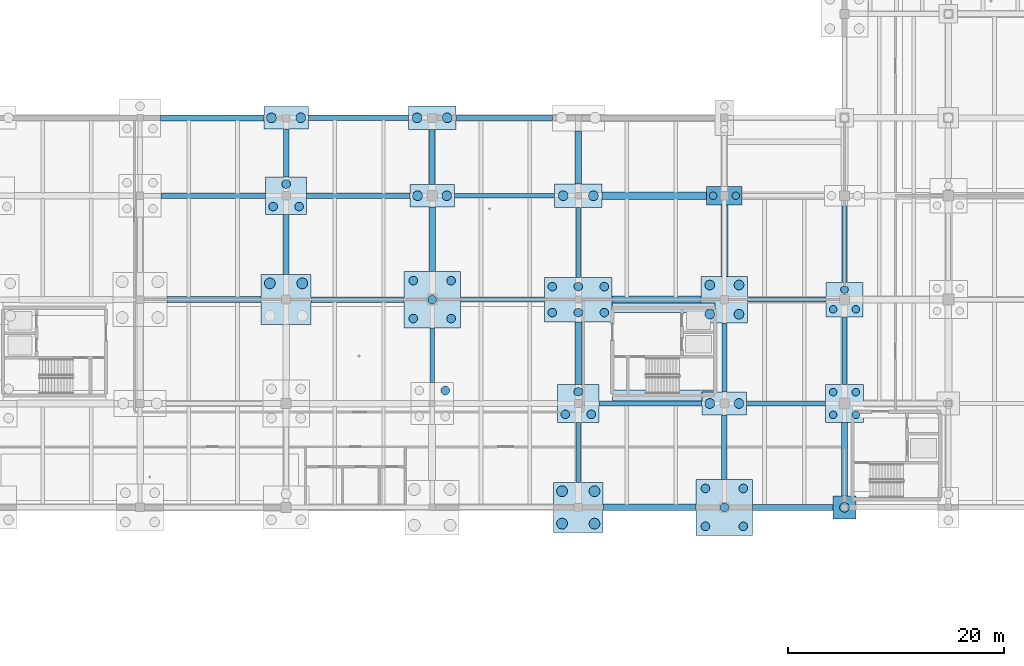
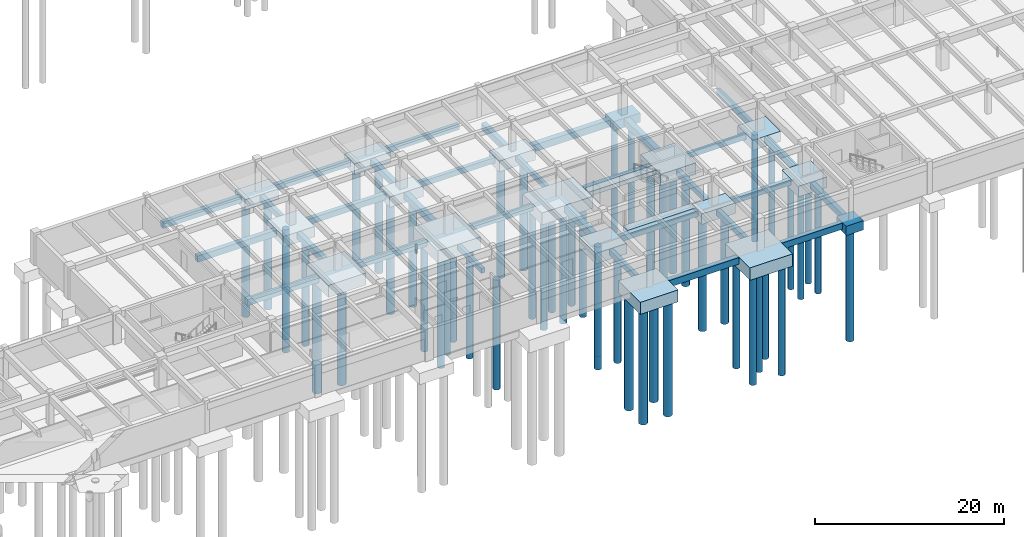
# One storey, part 3 of 41: 53 piles, 50 footings.
"""IFC4 building model written with IfcOpenShell, lengths in metres."""

from ifc_helpers import new_model, si_unit, direction, frame, origin, origin_2d, place, context, subcontext, project, spatial, rectangle, circle, extrude, material, material_profile, profile_set, type_object, element, save


model = new_model("IFC4")

# Units and contexts
model_context = context("Model", 3, precision=1e-05, world=origin(), true_north=direction((0.0, 1.0)))
body_context = subcontext(model_context, "Body", "Model", "MODEL_VIEW")
ifc_project = project(units=[si_unit("LENGTHUNIT", "METRE"), si_unit("AREAUNIT", "SQUARE_METRE"), si_unit("VOLUMEUNIT", "CUBIC_METRE"), si_unit("PLANEANGLEUNIT", "RADIAN"), si_unit("MASSUNIT", "GRAM", prefix="KILO")], contexts=[model_context])

# Site, building, storey
site_placement = place(None, origin())
site = spatial("IfcSite", under=ifc_project, at=site_placement, CompositionType="ELEMENT")
building_placement = place(site_placement, origin())
building = spatial("IfcBuilding", under=site, at=building_placement, Name="Fikremerkos Civic Library", CompositionType="ELEMENT")
storey_placement = place(building_placement, frame((0.0, 0.0, -8.39990234375)))
storey = spatial("IfcBuildingStorey", under=building, at=storey_placement, Name="B02", CompositionType="ELEMENT", Elevation=-8.39990234375)

# Piles
ifc_material_1 = material(Name="Concrete C35/45", Category="concrete")
ifc_material_profile_1 = material_profile(ifc_material_1, circle(Radius=0.5, at=origin_2d()), Name="BORED PILE 1000")
ifc_profile_set_1 = profile_set([ifc_material_profile_1], Name="Concrete C35/45")
pile_type_1 = type_object("IfcPileType", Name="Bored concrete pile PL-1000 D1000", PredefinedType="BORED", material=ifc_profile_set_1)
for number, where, z_axis, x_axis, name in (
    (1, (71.699951171875, 32.699951171875, -1.4501953125), (0.0, 0.0, -1.0), (1.0, 0.0, 0.0), "Bored pile PL-1000 under CAP-7-G #3"),
    (2, (74.699951171875, 32.699951171875, -1.4501953125), (0.0, 0.0, -1.0), (1.0, 0.0, 0.0), "Bored pile PL-1000 under CAP-7-G #4"),
    (3, (98.699951171875, 10.5, -1.4501953125), (0.0, 0.0, -1.0), (1.0, 0.0, 0.0), "Bored pile PL-1000 under CAP-9-E #1"),
    (4, (101.699951171875, 10.5, -1.4501953125), (0.0, 0.0, -1.0), (1.0, 0.0, 0.0), "Bored pile PL-1000 under CAP-9-E #2"),
    (5, (98.699951171875, 13.5, -1.4501953125), (0.0, 0.0, -1.0), (1.0, 0.0, 0.0), "Bored pile PL-1000 under CAP-9-E #3"),
    (6, (101.699951171875, 13.5, -1.4501953125), (0.0, 0.0, -1.0), (1.0, 0.0, 0.0), "Bored pile PL-1000 under CAP-9-E #4"),
):
    element("IfcPile", number, at=place(storey_placement, frame(where, z_axis=z_axis, x_axis=x_axis)), inside=storey, type_object=pile_type_1, Name=name, PredefinedType="BORED", context=body_context, shape_type="SweptSolid", body=[
        extrude(circle(Radius=0.5, at=origin_2d()), origin(), (0.0, 0.0, 1.0), 14.800048828125),
    ])
ifc_material_profile_2 = material_profile(ifc_material_1, circle(Radius=0.35009765625, at=origin_2d()), Name="BORED PILE 700")
ifc_profile_set_2 = profile_set([ifc_material_profile_2], Name="Concrete C35/45")
pile_type_2 = type_object("IfcPileType", Name="Bored concrete pile PL-700 D700", PredefinedType="BORED", material=ifc_profile_set_2)
for number, where, z_axis, x_axis, name in (
    (7, (112.64990234375, 40.800048828125, -1.10009765625), (0.0, 0.0, -1.0), (1.0, 0.0, 0.0), "Bored pile PL-700 under CAP-10-H #1"),
    (8, (114.75, 40.800048828125, -1.10009765625), (0.0, 0.0, -1.0), (1.0, 0.0, 0.0), "Bored pile PL-700 under CAP-10-H #2"),
    (9, (123.75, 20.550048828125, -1.25), (0.0, 0.0, -1.0), (1.0, 0.0, 0.0), "Bored pile PL-700 under CAP-11-F #1"),
    (10, (125.85009765625, 20.550048828125, -1.25), (0.0, 0.0, -1.0), (1.0, 0.0, 0.0), "Bored pile PL-700 under CAP-11-F #2"),
    (11, (123.75, 22.64990234375, -1.25), (0.0, 0.0, -1.0), (1.0, 0.0, 0.0), "Bored pile PL-700 under CAP-11-F #3"),
    (12, (125.85009765625, 22.64990234375, -1.25), (0.0, 0.0, -1.0), (1.0, 0.0, 0.0), "Bored pile PL-700 under CAP-11-F #4"),
    (13, (123.75, 30.300048828125, -1.2001953125), (0.0, 0.0, -1.0), (1.0, 0.0, 0.0), "Bored pile PL-700 under CAP-11-G #1"),
    (14, (125.85009765625, 30.300048828125, -1.2001953125), (0.0, 0.0, -1.0), (1.0, 0.0, 0.0), "Bored pile PL-700 under CAP-11-G #2"),
    (15, (124.800048828125, 32.1201171875, -1.2001953125), (0.0, 0.0, -1.0), (1.0, 0.0, 0.0), "Bored pile PL-700 under CAP-11-G #3"),
):
    element("IfcPile", number, at=place(storey_placement, frame(where, z_axis=z_axis, x_axis=x_axis)), inside=storey, type_object=pile_type_2, Name=name, PredefinedType="BORED", context=body_context, shape_type="SweptSolid", body=[
        extrude(circle(Radius=0.35009765625, at=origin_2d()), origin(), (0.0, 0.0, 1.0), 13.800048828125),
    ])
ifc_material_profile_3 = material_profile(ifc_material_1, circle(Radius=0.39990234375, at=origin_2d()), Name="BORED PILE 800")
ifc_profile_set_3 = profile_set([ifc_material_profile_3], Name="Concrete C35/45")
pile_type_3 = type_object("IfcPileType", Name="Bored concrete pile PL-800 D800", PredefinedType="BORED", material=ifc_profile_set_3)
for number, where, z_axis, x_axis, name in (
    (16, (72.0, 39.800048828125, -1.25), (0.0, 0.0, -1.0), (1.0, 0.0, 0.0), "Bored pile PL-800 under CAP-7-H #1"),
    (17, (74.39990234375, 39.800048828125, -1.25), (0.0, 0.0, -1.0), (1.0, 0.0, 0.0), "Bored pile PL-800 under CAP-7-H #2"),
    (18, (73.199951171875, 41.8798828125, -1.25), (0.0, 0.0, -1.0), (1.0, 0.0, 0.0), "Bored pile PL-800 under CAP-7-H #3"),
    (19, (87.89990234375, 22.800048828125, -1.300048828125), (0.0, 0.0, -1.0), (1.0, 0.0, 0.0), "Bored pile PL-800 under CAP-8-F #4"),
    (20, (84.949951171875, 29.449951171875, -1.5), (0.0, 0.0, -1.0), (1.0, 0.0, 0.0), "Bored pile PL-800 under CAP-8-G #1"),
    (21, (88.449951171875, 29.449951171875, -1.5), (0.0, 0.0, -1.0), (1.0, 0.0, 0.0), "Bored pile PL-800 under CAP-8-G #2"),
    (22, (84.949951171875, 32.949951171875, -1.5), (0.0, 0.0, -1.0), (1.0, 0.0, 0.0), "Bored pile PL-800 under CAP-8-G #3"),
    (23, (88.449951171875, 32.949951171875, -1.5), (0.0, 0.0, -1.0), (1.0, 0.0, 0.0), "Bored pile PL-800 under CAP-8-G #4"),
    (24, (86.699951171875, 31.199951171875, -1.5), (0.0, 0.0, -1.0), (1.0, 0.0, 0.0), "Bored pile PL-800 under CAP-8-G #5"),
    (25, (99.0, 20.60009765625, -1.25), (0.0, 0.0, -1.0), (1.0, 0.0, 0.0), "Bored pile PL-800 under CAP-9-F #1"),
    (26, (101.39990234375, 20.60009765625, -1.25), (0.0, 0.0, -1.0), (1.0, 0.0, 0.0), "Bored pile PL-800 under CAP-9-F #2"),
    (27, (100.199951171875, 22.679931640625, -1.25), (0.0, 0.0, -1.0), (1.0, 0.0, 0.0), "Bored pile PL-800 under CAP-9-F #3"),
    (28, (97.800048828125, 30.0, -1.4501953125), (0.0, 0.0, -1.0), (1.0, 0.0, 0.0), "Bored pile PL-800 under CAP-9-G #1"),
    (29, (100.199951171875, 30.0, -1.4501953125), (0.0, 0.0, -1.0), (1.0, 0.0, 0.0), "Bored pile PL-800 under CAP-9-G #2"),
    (30, (102.60009765625, 30.0, -1.4501953125), (0.0, 0.0, -1.0), (1.0, 0.0, 0.0), "Bored pile PL-800 under CAP-9-G #3"),
    (31, (97.800048828125, 32.39990234375, -1.4501953125), (0.0, 0.0, -1.0), (1.0, 0.0, 0.0), "Bored pile PL-800 under CAP-9-G #4"),
    (32, (100.199951171875, 32.39990234375, -1.4501953125), (0.0, 0.0, -1.0), (1.0, 0.0, 0.0), "Bored pile PL-800 under CAP-9-G #5"),
    (33, (102.60009765625, 32.39990234375, -1.4501953125), (0.0, 0.0, -1.0), (1.0, 0.0, 0.0), "Bored pile PL-800 under CAP-9-G #6"),
    (34, (111.949951171875, 10.25, -1.5), (0.0, 0.0, -1.0), (1.0, 0.0, 0.0), "Bored pile PL-800 under CAP-10-E #1"),
    (35, (115.449951171875, 10.25, -1.5), (0.0, 0.0, -1.0), (1.0, 0.0, 0.0), "Bored pile PL-800 under CAP-10-E #2"),
    (36, (111.949951171875, 13.75, -1.5), (0.0, 0.0, -1.0), (1.0, 0.0, 0.0), "Bored pile PL-800 under CAP-10-E #3"),
    (37, (115.449951171875, 13.75, -1.5), (0.0, 0.0, -1.0), (1.0, 0.0, 0.0), "Bored pile PL-800 under CAP-10-E #4"),
    (38, (113.699951171875, 12.0, -1.5), (0.0, 0.0, -1.0), (1.0, 0.0, 0.0), "Bored pile PL-800 under CAP-10-E #5"),
):
    element("IfcPile", number, at=place(storey_placement, frame(where, z_axis=z_axis, x_axis=x_axis)), inside=storey, type_object=pile_type_3, Name=name, PredefinedType="BORED", context=body_context, shape_type="SweptSolid", body=[
        extrude(circle(Radius=0.39990234375, at=origin_2d()), origin(), (0.0, 0.0, 1.0), 14.199951171875),
    ])
ifc_material_profile_4 = material_profile(ifc_material_1, circle(Radius=0.449951171875, at=origin_2d()), Name="BORED PILE 900")
ifc_profile_set_4 = profile_set([ifc_material_profile_4], Name="Concrete C35/45")
pile_type_4 = type_object("IfcPileType", Name="Bored concrete pile PL-900 D900", PredefinedType="BORED", material=ifc_profile_set_4)
for number, where, z_axis, x_axis, name in (
    (39, (71.85009765625, 48.0, -1.25), (0.0, 0.0, -1.0), (1.0, 0.0, 0.0), "Bored pile PL-900 under CAP-7-J #1"),
    (40, (74.550048828125, 48.0, -1.25), (0.0, 0.0, -1.0), (1.0, 0.0, 0.0), "Bored pile PL-900 under CAP-7-J #2"),
    (41, (85.35009765625, 40.800048828125, -1.25), (0.0, 0.0, -1.0), (1.0, 0.0, 0.0), "Bored pile PL-900 under CAP-8-H #1"),
    (42, (88.050048828125, 40.800048828125, -1.25), (0.0, 0.0, -1.0), (1.0, 0.0, 0.0), "Bored pile PL-900 under CAP-8-H #2"),
    (43, (85.300048828125, 48.0, -1.300048828125), (0.0, 0.0, -1.0), (1.0, 0.0, 0.0), "Bored pile PL-900 under CAP-8-J #1"),
    (44, (88.10009765625, 48.0, -1.300048828125), (0.0, 0.0, -1.0), (1.0, 0.0, 0.0), "Bored pile PL-900 under CAP-8-J #2"),
    (45, (98.800048828125, 40.800048828125, -1.300048828125), (0.0, 0.0, -1.0), (1.0, 0.0, 0.0), "Bored pile PL-900 under CAP-9-H #1"),
    (46, (101.60009765625, 40.800048828125, -1.300048828125), (0.0, 0.0, -1.0), (1.0, 0.0, 0.0), "Bored pile PL-900 under CAP-9-H #2"),
    (47, (112.35009765625, 21.60009765625, -1.25), (0.0, 0.0, -1.0), (1.0, 0.0, 0.0), "Bored pile PL-900 under CAP-10-F #1"),
    (48, (115.050048828125, 21.60009765625, -1.25), (0.0, 0.0, -1.0), (1.0, 0.0, 0.0), "Bored pile PL-900 under CAP-10-F #2"),
    (49, (112.35009765625, 29.85009765625, -1.400146484375), (0.0, 0.0, -1.0), (1.0, 0.0, 0.0), "Bored pile PL-900 under CAP-10-G #1"),
    (50, (115.050048828125, 29.85009765625, -1.400146484375), (0.0, 0.0, -1.0), (1.0, 0.0, 0.0), "Bored pile PL-900 under CAP-10-G #2"),
    (51, (112.35009765625, 32.550048828125, -1.400146484375), (0.0, 0.0, -1.0), (1.0, 0.0, 0.0), "Bored pile PL-900 under CAP-10-G #3"),
    (52, (115.050048828125, 32.550048828125, -1.400146484375), (0.0, 0.0, -1.0), (1.0, 0.0, 0.0), "Bored pile PL-900 under CAP-10-G #4"),
    (53, (124.800048828125, 12.0, -1.10009765625), (0.0, 0.0, -1.0), (1.0, 0.0, 0.0), "Bored pile PL-900 under CAP-11-E #1"),
):
    element("IfcPile", number, at=place(storey_placement, frame(where, z_axis=z_axis, x_axis=x_axis)), inside=storey, type_object=pile_type_4, Name=name, PredefinedType="BORED", context=body_context, shape_type="SweptSolid", body=[
        extrude(circle(Radius=0.449951171875, at=origin_2d()), origin(), (0.0, 0.0, 1.0), 14.5),
    ])

# Footings
ifc_material_2 = material(Name="Concrete C40/50", Category="concrete")
footing_type_1 = type_object("IfcFootingType", Name="Bored pile cap PC-03 3300x1700x1200", PredefinedType="PILE_CAP", material=ifc_material_2)
footing_1_placement = place(storey_placement, frame((113.699951171875, 40.800048828125, -1.2001953125), z_axis=(0.0, 0.0, 1.0), x_axis=(1.0, 0.0, 0.0)))
element("IfcFooting", 54, at=footing_1_placement, inside=storey, type_object=footing_type_1, Name="Pile cap PC-03 at 10/H", PredefinedType="PILE_CAP", context=body_context, shape_type="SweptSolid", body=[
    extrude(rectangle(XDim=3.300048828125, YDim=1.699951171875, at=origin_2d()), origin(), (0.0, 0.0, 1.0), 1.199951171875),
])
footing_type_2 = type_object("IfcFootingType", Name="Bored pile cap PC-07 4100x2100x1350", PredefinedType="PILE_CAP", material=ifc_material_2)
for number, where, z_axis, x_axis, name in (
    (55, (73.199951171875, 48.0, -1.35009765625), (0.0, 0.0, 1.0), (1.0, 0.0, 0.0), "Pile cap PC-07 at 7/J"),
    (56, (86.699951171875, 40.800048828125, -1.35009765625), (0.0, 0.0, 1.0), (1.0, 0.0, 0.0), "Pile cap PC-07 at 8/H"),
    (57, (113.699951171875, 21.60009765625, -1.35009765625), (0.0, 0.0, 1.0), (1.0, 0.0, 0.0), "Pile cap PC-07 at 10/F"),
):
    element("IfcFooting", number, at=place(storey_placement, frame(where, z_axis=z_axis, x_axis=x_axis)), inside=storey, type_object=footing_type_2, Name=name, PredefinedType="PILE_CAP", context=body_context, shape_type="SweptSolid", body=[
        extrude(rectangle(XDim=4.10009765625, YDim=2.10009765625, at=origin_2d()), origin(), (0.0, 0.0, 1.0), 1.35009765625),
    ])
footing_type_3 = type_object("IfcFootingType", Name="Bored pile cap PC-08 3400x3200x1300", PredefinedType="PILE_CAP", material=ifc_material_2)
footing_2_placement = place(storey_placement, frame((124.800048828125, 31.199951171875, -1.30029296875), z_axis=(0.0, 0.0, 1.0), x_axis=(1.0, 0.0, 0.0)))
element("IfcFooting", 58, at=footing_2_placement, inside=storey, type_object=footing_type_3, Name="Pile cap PC-08 at 11/G", PredefinedType="PILE_CAP", context=body_context, shape_type="SweptSolid", body=[
    extrude(rectangle(XDim=3.39990234375, YDim=3.199951171875, at=origin_2d()), origin(), (0.0, 0.0, 1.0), 1.300048828125),
])
footing_type_4 = type_object("IfcFootingType", Name="Bored pile cap PC-09 3800x3500x1350", PredefinedType="PILE_CAP", material=ifc_material_2)
for number, where, z_axis, x_axis, name in (
    (59, (73.199951171875, 40.800048828125, -1.35009765625), (0.0, 0.0, 1.0), (1.0, 0.0, 0.0), "Pile cap PC-09 at 7/H"),
    (60, (100.199951171875, 21.60009765625, -1.35009765625), (0.0, 0.0, 1.0), (1.0, 0.0, 0.0), "Pile cap PC-09 at 9/F"),
):
    element("IfcFooting", number, at=place(storey_placement, frame(where, z_axis=z_axis, x_axis=x_axis)), inside=storey, type_object=footing_type_4, Name=name, PredefinedType="PILE_CAP", context=body_context, shape_type="SweptSolid", body=[
        extrude(rectangle(XDim=3.800048828125, YDim=3.5, at=origin_2d()), origin(), (0.0, 0.0, 1.0), 1.35009765625),
    ])
footing_type_5 = type_object("IfcFootingType", Name="Bored pile cap PC-10 3500x3500x1350", PredefinedType="PILE_CAP", material=ifc_material_2)
footing_3_placement = place(storey_placement, frame((124.800048828125, 21.60009765625, -1.35009765625), z_axis=(0.0, 0.0, 1.0), x_axis=(1.0, 0.0, 0.0)))
element("IfcFooting", 61, at=footing_3_placement, inside=storey, type_object=footing_type_5, Name="Pile cap PC-10 at 11/F", PredefinedType="PILE_CAP", context=body_context, shape_type="SweptSolid", body=[
    extrude(rectangle(XDim=3.5, YDim=3.5, at=origin_2d()), origin(), (0.0, 0.0, 1.0), 1.35009765625),
])
footing_type_6 = type_object("IfcFootingType", Name="Bored pile cap PC-12 4300x4300x1500", PredefinedType="PILE_CAP", material=ifc_material_2)
footing_4_placement = place(storey_placement, frame((113.699951171875, 31.199951171875, -1.5), z_axis=(0.0, 0.0, 1.0), x_axis=(1.0, 0.0, 0.0)))
element("IfcFooting", 62, at=footing_4_placement, inside=storey, type_object=footing_type_6, Name="Pile cap PC-12 at 10/G", PredefinedType="PILE_CAP", context=body_context, shape_type="SweptSolid", body=[
    extrude(rectangle(XDim=4.300048828125, YDim=4.300048828125, at=origin_2d()), origin(), (0.0, 0.0, 1.0), 1.5),
])
footing_type_7 = type_object("IfcFootingType", Name="Bored pile cap PC-13 4600x4600x1550", PredefinedType="PILE_CAP", material=ifc_material_2)
for number, where, z_axis, x_axis, name in (
    (63, (73.199951171875, 31.199951171875, -1.55029296875), (0.0, 0.0, 1.0), (1.0, 0.0, 0.0), "Pile cap PC-13 at 7/G"),
    (64, (100.199951171875, 12.0, -1.55029296875), (0.0, 0.0, 1.0), (1.0, 0.0, 0.0), "Pile cap PC-13 at 9/E"),
):
    element("IfcFooting", number, at=place(storey_placement, frame(where, z_axis=z_axis, x_axis=x_axis)), inside=storey, type_object=footing_type_7, Name=name, PredefinedType="PILE_CAP", context=body_context, shape_type="SweptSolid", body=[
        extrude(rectangle(XDim=4.60009765625, YDim=4.60009765625, at=origin_2d()), origin(), (0.0, 0.0, 1.0), 1.550048828125),
    ])
footing_type_8 = type_object("IfcFootingType", Name="Bored pile cap PC-15 5200x5200x1600", PredefinedType="PILE_CAP", material=ifc_material_2)
for number, where, z_axis, x_axis, name in (
    (65, (86.699951171875, 31.199951171875, -1.60009765625), (0.0, 0.0, 1.0), (1.0, 0.0, 0.0), "Pile cap PC-15 at 8/G"),
    (66, (113.699951171875, 12.0, -1.60009765625), (0.0, 0.0, 1.0), (1.0, 0.0, 0.0), "Pile cap PC-15 at 10/E"),
):
    element("IfcFooting", number, at=place(storey_placement, frame(where, z_axis=z_axis, x_axis=x_axis)), inside=storey, type_object=footing_type_8, Name=name, PredefinedType="PILE_CAP", context=body_context, shape_type="SweptSolid", body=[
        extrude(rectangle(XDim=5.199951171875, YDim=5.199951171875, at=origin_2d()), origin(), (0.0, 0.0, 1.0), 1.60009765625),
    ])
footing_type_9 = type_object("IfcFootingType", Name="Bored pile cap PC-16 6200x4100x1550", PredefinedType="PILE_CAP", material=ifc_material_2)
footing_5_placement = place(storey_placement, frame((100.199951171875, 31.199951171875, -1.55029296875), z_axis=(0.0, 0.0, 1.0), x_axis=(1.0, 0.0, 0.0)))
element("IfcFooting", 67, at=footing_5_placement, inside=storey, type_object=footing_type_9, Name="Pile cap PC-16 at 9/G", PredefinedType="PILE_CAP", context=body_context, shape_type="SweptSolid", body=[
    extrude(rectangle(XDim=6.199951171875, YDim=4.10009765625, at=origin_2d()), origin(), (0.0, 0.0, 1.0), 1.550048828125),
])
footing_type_10 = type_object("IfcFootingType", Name="Bored pile cap PC-17 2100x2100x1200", PredefinedType="PILE_CAP", material=ifc_material_2)
footing_6_placement = place(storey_placement, frame((124.800048828125, 12.0, -1.2001953125), z_axis=(0.0, 0.0, 1.0), x_axis=(1.0, 0.0, 0.0)))
element("IfcFooting", 68, at=footing_6_placement, inside=storey, type_object=footing_type_10, Name="Pile cap PC-17 at 11/E", PredefinedType="PILE_CAP", context=body_context, shape_type="SweptSolid", body=[
    extrude(rectangle(XDim=2.10009765625, YDim=2.10009765625, at=origin_2d()), origin(), (0.0, 0.0, 1.0), 1.199951171875),
])
footing_type_11 = type_object("IfcFootingType", Name="Bored pile cap PC-18 4400x2200x1400", PredefinedType="PILE_CAP", material=ifc_material_2)
for number, where, z_axis, x_axis, name in (
    (69, (86.699951171875, 48.0, -1.400146484375), (0.0, 0.0, 1.0), (1.0, 0.0, 0.0), "Pile cap PC-18 at 8/J"),
    (70, (100.199951171875, 40.800048828125, -1.400146484375), (0.0, 0.0, 1.0), (1.0, 0.0, 0.0), "Pile cap PC-18 at 9/H"),
):
    element("IfcFooting", number, at=place(storey_placement, frame(where, z_axis=z_axis, x_axis=x_axis)), inside=storey, type_object=footing_type_11, Name=name, PredefinedType="PILE_CAP", context=body_context, shape_type="SweptSolid", body=[
        extrude(rectangle(XDim=4.39990234375, YDim=2.199951171875, at=origin_2d()), origin(), (0.0, 0.0, 1.0), 1.39990234375),
    ])
footing_type_12 = type_object("IfcFootingType", Name="Foundation tie beam FTB-01 600x850", PredefinedType="FOOTING_BEAM", material=ifc_material_2)
footing_7_placement = place(storey_placement, frame((106.800048828125, 12.0, -0.900146484375), z_axis=(0.0, 0.0, 1.0), x_axis=(1.0, 0.0, 0.0)))
element("IfcFooting", 71, at=footing_7_placement, inside=storey, type_object=footing_type_12, Name="Foundation tie beam FTB-01 on grid E", PredefinedType="FOOTING_BEAM", context=body_context, shape_type="SweptSolid", body=[
    extrude(rectangle(XDim=8.60009765625, YDim=0.60009765625, at=origin_2d()), origin(), (0.0, 0.0, 1.0), 0.85009765625),
])
footing_8_placement = place(storey_placement, frame((86.699951171875, 36.77490234375, -0.900146484375), z_axis=(0.0, 0.0, 1.0), x_axis=(0.0, 1.0, 0.0)))
element("IfcFooting", 72, at=footing_8_placement, inside=storey, type_object=footing_type_12, Name="Foundation tie beam FTB-01 on grid 8", PredefinedType="FOOTING_BEAM", context=body_context, shape_type="SweptSolid", body=[
    extrude(rectangle(XDim=5.949951171875, YDim=0.60009765625, at=origin_2d()), origin(), (0.0, 0.0, 1.0), 0.85009765625),
])
footing_9_placement = place(storey_placement, frame((100.199951171875, 44.35009765625, -0.900146484375), z_axis=(0.0, 0.0, 1.0), x_axis=(0.0, 1.0, 0.0)))
element("IfcFooting", 73, at=footing_9_placement, inside=storey, type_object=footing_type_12, Name="Foundation tie beam FTB-01 on grid 9", PredefinedType="FOOTING_BEAM", context=body_context, shape_type="SweptSolid", body=[
    extrude(rectangle(XDim=4.89990234375, YDim=0.60009765625, at=origin_2d()), origin(), (0.0, 0.0, 1.0), 0.85009765625),
])
footing_type_13 = type_object("IfcFootingType", Name="Foundation tie beam FTB-02 550x800", PredefinedType="FOOTING_BEAM", material=ifc_material_2)
footing_10_placement = place(storey_placement, frame((120.02490234375, 12.0, -0.85009765625), z_axis=(0.0, 0.0, 1.0), x_axis=(1.0, 0.0, 0.0)))
element("IfcFooting", 74, at=footing_10_placement, inside=storey, type_object=footing_type_13, Name="Foundation tie beam FTB-02 on grid E", PredefinedType="FOOTING_BEAM", context=body_context, shape_type="SweptSolid", body=[
    extrude(rectangle(XDim=7.449951171875, YDim=0.550048828125, at=origin_2d()), origin(), (0.0, 0.0, 1.0), 0.800048828125),
])
footing_11_placement = place(storey_placement, frame((66.550048828125, 31.199951171875, -0.85009765625), z_axis=(0.0, 0.0, 1.0), x_axis=(1.0, 0.0, 0.0)))
element("IfcFooting", 75, at=footing_11_placement, inside=storey, type_object=footing_type_13, Name="Foundation tie beam FTB-02 on grid G", PredefinedType="FOOTING_BEAM", context=body_context, shape_type="SweptSolid", body=[
    extrude(rectangle(XDim=8.699951171875, YDim=0.550048828125, at=origin_2d()), origin(), (0.0, 0.0, 1.0), 0.800048828125),
])
footing_12_placement = place(storey_placement, frame((66.47509765625, 40.800048828125, -0.85009765625), z_axis=(0.0, 0.0, 1.0), x_axis=(1.0, 0.0, 0.0)))
element("IfcFooting", 76, at=footing_12_placement, inside=storey, type_object=footing_type_13, Name="Foundation tie beam FTB-02 on grid H", PredefinedType="FOOTING_BEAM", context=body_context, shape_type="SweptSolid", body=[
    extrude(rectangle(XDim=9.64990234375, YDim=0.550048828125, at=origin_2d()), origin(), (0.0, 0.0, 1.0), 0.800048828125),
])
footing_13_placement = place(storey_placement, frame((66.375, 48.0, -0.85009765625), z_axis=(0.0, 0.0, 1.0), x_axis=(1.0, 0.0, 0.0)))
element("IfcFooting", 77, at=footing_13_placement, inside=storey, type_object=footing_type_13, Name="Foundation tie beam FTB-02 on grid J", PredefinedType="FOOTING_BEAM", context=body_context, shape_type="SweptSolid", body=[
    extrude(rectangle(XDim=9.550048828125, YDim=0.550048828125, at=origin_2d()), origin(), (0.0, 0.0, 1.0), 0.800048828125),
])
footing_14_placement = place(storey_placement, frame((73.199951171875, 36.27490234375, -0.85009765625), z_axis=(0.0, 0.0, 1.0), x_axis=(0.0, 1.0, 0.0)))
element("IfcFooting", 78, at=footing_14_placement, inside=storey, type_object=footing_type_13, Name="Foundation tie beam FTB-02 on grid 7", PredefinedType="FOOTING_BEAM", context=body_context, shape_type="SweptSolid", body=[
    extrude(rectangle(XDim=5.550048828125, YDim=0.550048828125, at=origin_2d()), origin(), (0.0, 0.0, 1.0), 0.800048828125),
])
footing_15_placement = place(storey_placement, frame((86.699951171875, 44.375, -0.85009765625), z_axis=(0.0, 0.0, 1.0), x_axis=(0.0, 1.0, 0.0)))
element("IfcFooting", 79, at=footing_15_placement, inside=storey, type_object=footing_type_13, Name="Foundation tie beam FTB-02 on grid 8", PredefinedType="FOOTING_BEAM", context=body_context, shape_type="SweptSolid", body=[
    extrude(rectangle(XDim=5.050048828125, YDim=0.550048828125, at=origin_2d()), origin(), (0.0, 0.0, 1.0), 0.800048828125),
])
footing_16_placement = place(storey_placement, frame((124.800048828125, 16.449951171875, -0.85009765625), z_axis=(0.0, 0.0, 1.0), x_axis=(0.0, 1.0, 0.0)))
element("IfcFooting", 80, at=footing_16_placement, inside=storey, type_object=footing_type_13, Name="Foundation tie beam FTB-02 on grid 11", PredefinedType="FOOTING_BEAM", context=body_context, shape_type="SweptSolid", body=[
    extrude(rectangle(XDim=6.800048828125, YDim=0.550048828125, at=origin_2d()), origin(), (0.0, 0.0, 1.0), 0.800048828125),
])
footing_type_14 = type_object("IfcFootingType", Name="Foundation tie beam FTB-03 500x750", PredefinedType="FOOTING_BEAM", material=ifc_material_2)
footing_17_placement = place(storey_placement, frame((106.875, 21.60009765625, -0.800048828125), z_axis=(0.0, 0.0, 1.0), x_axis=(1.0, 0.0, 0.0)))
element("IfcFooting", 81, at=footing_17_placement, inside=storey, type_object=footing_type_14, Name="Foundation tie beam FTB-03 on grid F", PredefinedType="FOOTING_BEAM", context=body_context, shape_type="SweptSolid", body=[
    extrude(rectangle(XDim=9.550048828125, YDim=0.5, at=origin_2d()), origin(), (0.0, 0.0, 1.0), 0.75),
])
footing_18_placement = place(storey_placement, frame((79.800048828125, 31.199951171875, -0.800048828125), z_axis=(0.0, 0.0, 1.0), x_axis=(1.0, 0.0, 0.0)))
element("IfcFooting", 82, at=footing_18_placement, inside=storey, type_object=footing_type_14, Name="Foundation tie beam FTB-03 on grid G", PredefinedType="FOOTING_BEAM", context=body_context, shape_type="SweptSolid", body=[
    extrude(rectangle(XDim=8.60009765625, YDim=0.5, at=origin_2d()), origin(), (0.0, 0.0, 1.0), 0.75),
])
footing_19_placement = place(storey_placement, frame((79.875, 40.800048828125, -0.800048828125), z_axis=(0.0, 0.0, 1.0), x_axis=(1.0, 0.0, 0.0)))
element("IfcFooting", 83, at=footing_19_placement, inside=storey, type_object=footing_type_14, Name="Foundation tie beam FTB-03 on grid H", PredefinedType="FOOTING_BEAM", context=body_context, shape_type="SweptSolid", body=[
    extrude(rectangle(XDim=9.550048828125, YDim=0.5, at=origin_2d()), origin(), (0.0, 0.0, 1.0), 0.75),
])
footing_20_placement = place(storey_placement, frame((79.875, 48.0, -0.800048828125), z_axis=(0.0, 0.0, 1.0), x_axis=(1.0, 0.0, 0.0)))
element("IfcFooting", 84, at=footing_20_placement, inside=storey, type_object=footing_type_14, Name="Foundation tie beam FTB-03 on grid J", PredefinedType="FOOTING_BEAM", context=body_context, shape_type="SweptSolid", body=[
    extrude(rectangle(XDim=9.25, YDim=0.5, at=origin_2d()), origin(), (0.0, 0.0, 1.0), 0.75),
])
footing_21_placement = place(storey_placement, frame((73.199951171875, 44.75, -0.800048828125), z_axis=(0.0, 0.0, 1.0), x_axis=(0.0, 1.0, 0.0)))
element("IfcFooting", 85, at=footing_21_placement, inside=storey, type_object=footing_type_14, Name="Foundation tie beam FTB-03 on grid 7", PredefinedType="FOOTING_BEAM", context=body_context, shape_type="SweptSolid", body=[
    extrude(rectangle(XDim=4.39990234375, YDim=0.5, at=origin_2d()), origin(), (0.0, 0.0, 1.0), 0.75),
])
footing_22_placement = place(storey_placement, frame((113.699951171875, 17.574951171875, -0.800048828125), z_axis=(0.0, 0.0, 1.0), x_axis=(0.0, 1.0, 0.0)))
element("IfcFooting", 86, at=footing_22_placement, inside=storey, type_object=footing_type_14, Name="Foundation tie beam FTB-03 on grid 10", PredefinedType="FOOTING_BEAM", context=body_context, shape_type="SweptSolid", body=[
    extrude(rectangle(XDim=5.949951171875, YDim=0.5, at=origin_2d()), origin(), (0.0, 0.0, 1.0), 0.75),
])
footing_23_placement = place(storey_placement, frame((124.800048828125, 26.47509765625, -0.800048828125), z_axis=(0.0, 0.0, 1.0), x_axis=(0.0, 1.0, 0.0)))
element("IfcFooting", 87, at=footing_23_placement, inside=storey, type_object=footing_type_14, Name="Foundation tie beam FTB-03 on grid 11", PredefinedType="FOOTING_BEAM", context=body_context, shape_type="SweptSolid", body=[
    extrude(rectangle(XDim=6.25, YDim=0.5, at=origin_2d()), origin(), (0.0, 0.0, 1.0), 0.75),
])
footing_type_15 = type_object("IfcFootingType", Name="Foundation tie beam FTB-04 450x700", PredefinedType="FOOTING_BEAM", material=ifc_material_2)
footing_24_placement = place(storey_placement, frame((119.39990234375, 21.60009765625, -0.75), z_axis=(0.0, 0.0, 1.0), x_axis=(1.0, 0.0, 0.0)))
element("IfcFooting", 88, at=footing_24_placement, inside=storey, type_object=footing_type_15, Name="Foundation tie beam FTB-04 on grid F", PredefinedType="FOOTING_BEAM", context=body_context, shape_type="SweptSolid", body=[
    extrude(rectangle(XDim=7.300048828125, YDim=0.449951171875, at=origin_2d()), origin(), (0.0, 0.0, 1.0), 0.699951171875),
])
footing_25_placement = place(storey_placement, frame((93.199951171875, 31.199951171875, -0.75), z_axis=(0.0, 0.0, 1.0), x_axis=(1.0, 0.0, 0.0)))
element("IfcFooting", 89, at=footing_25_placement, inside=storey, type_object=footing_type_15, Name="Foundation tie beam FTB-04 on grid G", PredefinedType="FOOTING_BEAM", context=body_context, shape_type="SweptSolid", body=[
    extrude(rectangle(XDim=7.800048828125, YDim=0.449951171875, at=origin_2d()), origin(), (0.0, 0.0, 1.0), 0.699951171875),
])
footing_26_placement = place(storey_placement, frame((93.375, 40.800048828125, -0.75), z_axis=(0.0, 0.0, 1.0), x_axis=(1.0, 0.0, 0.0)))
element("IfcFooting", 90, at=footing_26_placement, inside=storey, type_object=footing_type_15, Name="Foundation tie beam FTB-04 on grid H", PredefinedType="FOOTING_BEAM", context=body_context, shape_type="SweptSolid", body=[
    extrude(rectangle(XDim=9.25, YDim=0.449951171875, at=origin_2d()), origin(), (0.0, 0.0, 1.0), 0.699951171875),
])
footing_27_placement = place(storey_placement, frame((93.35009765625, 48.0, -0.75), z_axis=(0.0, 0.0, 1.0), x_axis=(1.0, 0.0, 0.0)))
element("IfcFooting", 91, at=footing_27_placement, inside=storey, type_object=footing_type_15, Name="Foundation tie beam FTB-04 on grid J", PredefinedType="FOOTING_BEAM", context=body_context, shape_type="SweptSolid", body=[
    extrude(rectangle(XDim=8.89990234375, YDim=0.449951171875, at=origin_2d()), origin(), (0.0, 0.0, 1.0), 0.699951171875),
])
footing_28_placement = place(storey_placement, frame((100.199951171875, 17.074951171875, -0.75), z_axis=(0.0, 0.0, 1.0), x_axis=(0.0, 1.0, 0.0)))
element("IfcFooting", 92, at=footing_28_placement, inside=storey, type_object=footing_type_15, Name="Foundation tie beam FTB-04 on grid 9", PredefinedType="FOOTING_BEAM", context=body_context, shape_type="SweptSolid", body=[
    extrude(rectangle(XDim=5.550048828125, YDim=0.449951171875, at=origin_2d()), origin(), (0.0, 0.0, 1.0), 0.699951171875),
])
footing_29_placement = place(storey_placement, frame((113.699951171875, 25.85009765625, -0.75), z_axis=(0.0, 0.0, 1.0), x_axis=(0.0, 1.0, 0.0)))
element("IfcFooting", 93, at=footing_29_placement, inside=storey, type_object=footing_type_15, Name="Foundation tie beam FTB-04 on grid 10", PredefinedType="FOOTING_BEAM", context=body_context, shape_type="SweptSolid", body=[
    extrude(rectangle(XDim=6.39990234375, YDim=0.449951171875, at=origin_2d()), origin(), (0.0, 0.0, 1.0), 0.699951171875),
])
footing_30_placement = place(storey_placement, frame((124.800048828125, 36.324951171875, -0.75), z_axis=(0.0, 0.0, 1.0), x_axis=(0.0, 1.0, 0.0)))
element("IfcFooting", 94, at=footing_30_placement, inside=storey, type_object=footing_type_15, Name="Foundation tie beam FTB-04 on grid 11", PredefinedType="FOOTING_BEAM", context=body_context, shape_type="SweptSolid", body=[
    extrude(rectangle(XDim=7.050048828125, YDim=0.449951171875, at=origin_2d()), origin(), (0.0, 0.0, 1.0), 0.699951171875),
])
footing_type_16 = type_object("IfcFootingType", Name="Foundation tie beam FTB-05 650x900", PredefinedType="FOOTING_BEAM", material=ifc_material_2)
footing_31_placement = place(storey_placement, frame((107.425048828125, 31.199951171875, -0.949951171875), z_axis=(0.0, 0.0, 1.0), x_axis=(1.0, 0.0, 0.0)))
element("IfcFooting", 95, at=footing_31_placement, inside=storey, type_object=footing_type_16, Name="Foundation tie beam FTB-05 on grid G", PredefinedType="FOOTING_BEAM", context=body_context, shape_type="SweptSolid", body=[
    extrude(rectangle(XDim=8.25, YDim=0.64990234375, at=origin_2d()), origin(), (0.0, 0.0, 1.0), 0.89990234375),
])
footing_32_placement = place(storey_placement, frame((107.22509765625, 40.800048828125, -0.949951171875), z_axis=(0.0, 0.0, 1.0), x_axis=(1.0, 0.0, 0.0)))
element("IfcFooting", 96, at=footing_32_placement, inside=storey, type_object=footing_type_16, Name="Foundation tie beam FTB-05 on grid H", PredefinedType="FOOTING_BEAM", context=body_context, shape_type="SweptSolid", body=[
    extrude(rectangle(XDim=9.64990234375, YDim=0.64990234375, at=origin_2d()), origin(), (0.0, 0.0, 1.0), 0.89990234375),
])
footing_33_placement = place(storey_placement, frame((100.199951171875, 26.25, -0.949951171875), z_axis=(0.0, 0.0, 1.0), x_axis=(0.0, 1.0, 0.0)))
element("IfcFooting", 97, at=footing_33_placement, inside=storey, type_object=footing_type_16, Name="Foundation tie beam FTB-05 on grid 9", PredefinedType="FOOTING_BEAM", context=body_context, shape_type="SweptSolid", body=[
    extrude(rectangle(XDim=5.800048828125, YDim=0.64990234375, at=origin_2d()), origin(), (0.0, 0.0, 1.0), 0.89990234375),
])
footing_34_placement = place(storey_placement, frame((113.699951171875, 36.64990234375, -0.949951171875), z_axis=(0.0, 0.0, 1.0), x_axis=(0.0, 1.0, 0.0)))
element("IfcFooting", 98, at=footing_34_placement, inside=storey, type_object=footing_type_16, Name="Foundation tie beam FTB-05 on grid 10", PredefinedType="FOOTING_BEAM", context=body_context, shape_type="SweptSolid", body=[
    extrude(rectangle(XDim=6.60009765625, YDim=0.64990234375, at=origin_2d()), origin(), (0.0, 0.0, 1.0), 0.89990234375),
])
footing_type_17 = type_object("IfcFootingType", Name="Foundation tie beam FTB-06 400x650", PredefinedType="FOOTING_BEAM", material=ifc_material_2)
footing_35_placement = place(storey_placement, frame((119.47509765625, 31.199951171875, -0.699951171875), z_axis=(0.0, 0.0, 1.0), x_axis=(1.0, 0.0, 0.0)))
element("IfcFooting", 99, at=footing_35_placement, inside=storey, type_object=footing_type_17, Name="Foundation tie beam FTB-06 on grid G", PredefinedType="FOOTING_BEAM", context=body_context, shape_type="SweptSolid", body=[
    extrude(rectangle(XDim=7.25, YDim=0.39990234375, at=origin_2d()), origin(), (0.0, 0.0, 1.0), 0.64990234375),
])
footing_36_placement = place(storey_placement, frame((86.699951171875, 26.074951171875, -0.699951171875), z_axis=(0.0, 0.0, 1.0), x_axis=(0.0, 1.0, 0.0)))
element("IfcFooting", 100, at=footing_36_placement, inside=storey, type_object=footing_type_17, Name="Foundation tie beam FTB-06 on grid 8", PredefinedType="FOOTING_BEAM", context=body_context, shape_type="SweptSolid", body=[
    extrude(rectangle(XDim=5.050048828125, YDim=0.39990234375, at=origin_2d()), origin(), (0.0, 0.0, 1.0), 0.64990234375),
])
footing_37_placement = place(storey_placement, frame((100.199951171875, 36.47509765625, -0.699951171875), z_axis=(0.0, 0.0, 1.0), x_axis=(0.0, 1.0, 0.0)))
element("IfcFooting", 101, at=footing_37_placement, inside=storey, type_object=footing_type_17, Name="Foundation tie beam FTB-06 on grid 9", PredefinedType="FOOTING_BEAM", context=body_context, shape_type="SweptSolid", body=[
    extrude(rectangle(XDim=6.449951171875, YDim=0.39990234375, at=origin_2d()), origin(), (0.0, 0.0, 1.0), 0.64990234375),
])
footing_type_18 = type_object("IfcFootingType", Name="Wall strip footing WSF-02 1000x600", PredefinedType="STRIP_FOOTING", material=ifc_material_1)
footing_38_placement = place(storey_placement, frame((108.10009765625, 22.35009765625, -0.60009765625), z_axis=(0.0, 0.0, 1.0), x_axis=(1.0, 0.0, 0.0)))
element("IfcFooting", 102, at=footing_38_placement, inside=storey, type_object=footing_type_18, Name="Core wall strip footing WSF-02 under K2", PredefinedType="STRIP_FOOTING", context=body_context, shape_type="SweptSolid", body=[
    extrude(rectangle(XDim=9.5, YDim=1.0, at=origin_2d()), origin(), (0.0, 0.0, 1.0), 0.60009765625),
])
footing_type_19 = type_object("IfcFootingType", Name="Wall strip footing WSF-03 900x550", PredefinedType="STRIP_FOOTING", material=ifc_material_1)
footing_39_placement = place(storey_placement, frame((108.10009765625, 30.449951171875, -0.55029296875), z_axis=(0.0, 0.0, 1.0), x_axis=(1.0, 0.0, 0.0)))
element("IfcFooting", 103, at=footing_39_placement, inside=storey, type_object=footing_type_19, Name="Core wall strip footing WSF-03 under K2", PredefinedType="STRIP_FOOTING", context=body_context, shape_type="SweptSolid", body=[
    extrude(rectangle(XDim=9.5, YDim=0.89990234375, at=origin_2d()), origin(), (0.0, 0.0, 1.0), 0.550048828125),
])

save(model, "model.ifc")
